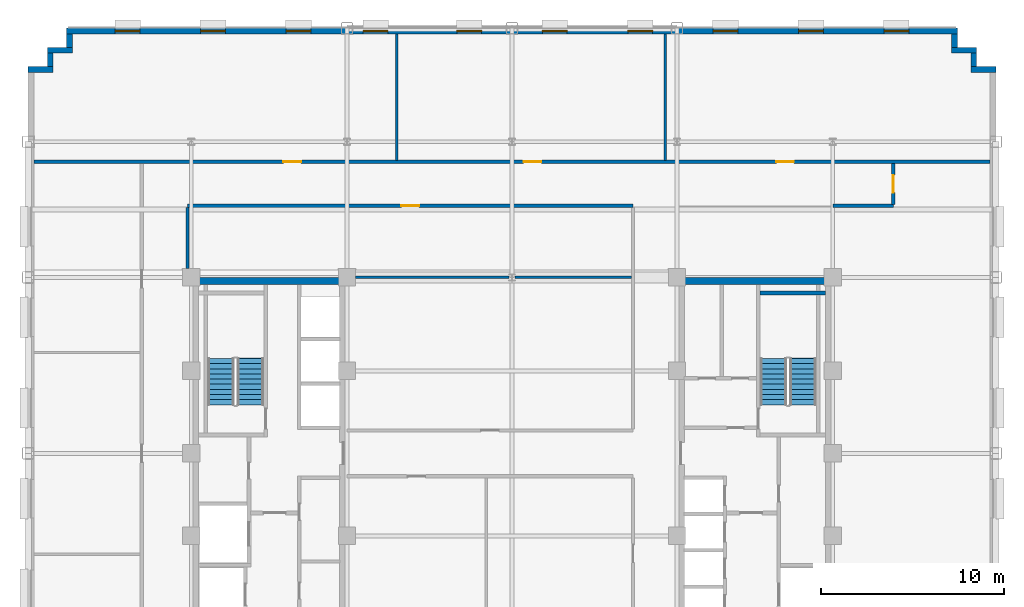
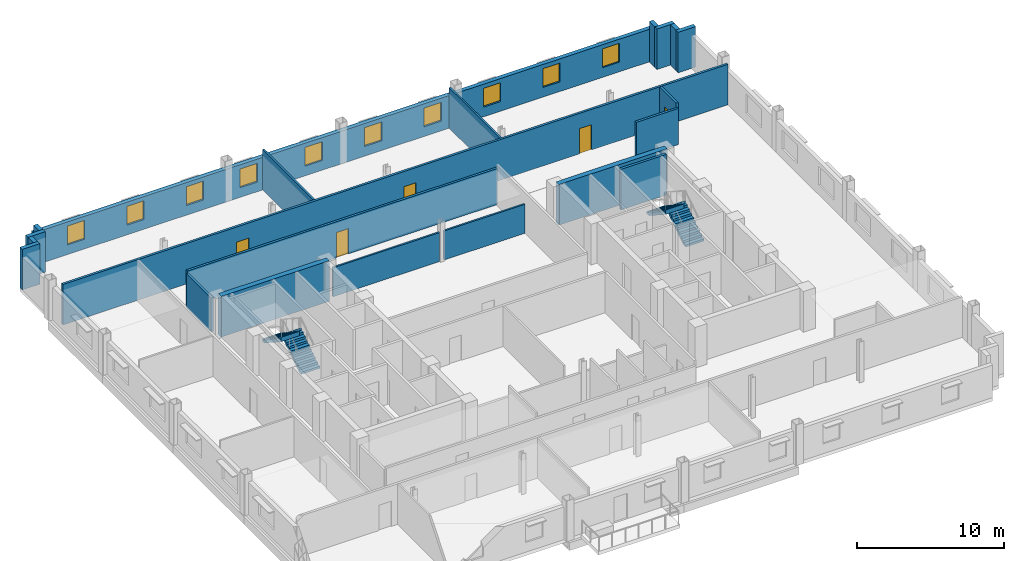
# One storey, part 9 of 13: 21 walls, 10 windows, 5 doors, 4 stair flights, 15 openings, 2 elements without a shape of their own.
"""IFC4 building model written with IfcOpenShell, lengths in metres."""

from ifc_helpers import new_model, si_unit, direction, frame, frame_2d, origin, place, context, subcontext, project, spatial, polyline, rectangle, outline, extrude, source, transform, mapped, material, layer, layer_set, type_object, type_shapes, element, fill, aggregate, save


model = new_model("IFC4")

# Units and contexts
model_context = context("Model", 3, precision=1e-05, world=origin(), true_north=direction((0.0, 1.0)))
body_context = subcontext(model_context, "Body", "Model", "MODEL_VIEW")
ifc_project = project(units=[si_unit("LENGTHUNIT", "METRE"), si_unit("AREAUNIT", "SQUARE_METRE"), si_unit("VOLUMEUNIT", "CUBIC_METRE"), si_unit("PLANEANGLEUNIT", "RADIAN"), si_unit("MASSUNIT", "GRAM", prefix="KILO")], contexts=[model_context])

# Site, building, storey
site_placement = place(None, origin())
site = spatial("IfcSite", under=ifc_project, at=site_placement, CompositionType="ELEMENT")
building_placement = place(site_placement, origin())
building = spatial("IfcBuilding", under=site, at=building_placement, Name="Nuvemarco Arch Tower", CompositionType="ELEMENT")
storey_placement = place(building_placement, frame((0.0, 0.0, 149.39990234375)))
storey = spatial("IfcBuildingStorey", under=building, at=storey_placement, Name="L39", CompositionType="ELEMENT", Elevation=149.39990234375)

# Walls
ifc_material_1 = material(Name="Precast concrete C45/55", Category="concrete")
ifc_layer_1 = layer(ifc_material_1, 0.320068359375, Name="EW-MID-320")
ifc_layer_set_1 = layer_set([ifc_layer_1], Name="Precast concrete C45/55")
wall_type_1 = type_object("IfcWallType", Name="EW-MID-320", PredefinedType="STANDARD", material=ifc_layer_set_1)
wall_1_placement = place(storey_placement, frame((25.030029296875, 20.93994140625, 0.0), z_axis=(0.0, 0.0, 1.0), x_axis=(1.0, 0.0, 0.0)))
element("IfcWall", 1, at=wall_1_placement, inside=storey, type_object=wall_type_1, Name="L39 exterior precast facade wall 7", PredefinedType="STANDARD", context=body_context, shape_type="SweptSolid", body=[
    extrude(rectangle(XDim=1.369873046875, YDim=0.320068359375, at=frame_2d((0.68505859375, 0.0))), origin(), (0.0, 0.0, 1.0), 3.360107421875),
])
wall_2_placement = place(storey_placement, frame((25.18994140625, 21.095947265625, 0.0), z_axis=(0.0, 0.0, 1.0), x_axis=(0.0, 1.0, 0.0)))
element("IfcWall", 2, at=wall_2_placement, inside=storey, type_object=wall_type_1, Name="L39 exterior precast facade wall 8", PredefinedType="STANDARD", context=body_context, shape_type="SweptSolid", body=[
    extrude(rectangle(XDim=0.738037109375, YDim=0.320068359375, at=frame_2d((0.369140625, 0.0))), origin(), (0.0, 0.0, 1.0), 3.360107421875),
])
wall_3_placement = place(storey_placement, frame((23.97998046875, 21.989990234375, 0.0), z_axis=(0.0, 0.0, 1.0), x_axis=(1.0, 0.0, 0.0)))
element("IfcWall", 3, at=wall_3_placement, inside=storey, type_object=wall_type_1, Name="L39 exterior precast facade wall 9", PredefinedType="STANDARD", context=body_context, shape_type="SweptSolid", body=[
    extrude(rectangle(XDim=1.3701171875, YDim=0.320068359375, at=frame_2d((0.68505859375, 0.0))), origin(), (0.0, 0.0, 1.0), 3.360107421875),
])
wall_4_placement = place(storey_placement, frame((24.139892578125, 22.14599609375, 0.0), z_axis=(0.0, 0.0, 1.0), x_axis=(0.0, 1.0, 0.0)))
element("IfcWall", 4, at=wall_4_placement, inside=storey, type_object=wall_type_1, Name="L39 exterior precast facade wall 10", PredefinedType="STANDARD", context=body_context, shape_type="SweptSolid", body=[
    extrude(rectangle(XDim=0.738037109375, YDim=0.320068359375, at=frame_2d((0.369140625, 0.0))), origin(), (0.0, 0.0, 1.0), 3.360107421875),
])

# Wall, openings, windows
wall_5_placement = place(storey_placement, frame((-24.300048828125, 23.0400390625, 0.0), z_axis=(0.0, 0.0, 1.0), x_axis=(1.0, 0.0, 0.0)))
wall_5 = element("IfcWall", 5, at=wall_5_placement, inside=storey, type_object=wall_type_1, Name="L39 exterior precast facade wall 11", PredefinedType="STANDARD", context=body_context, shape_type="SweptSolid", body=[
    extrude(rectangle(XDim=48.60009765625, YDim=0.320068359375, at=frame_2d((24.300048828125, 0.0))), origin(), (0.0, 0.0, 1.0), 2.705078125),
])
opening_1_placement = place(wall_5_placement, frame((2.655029296875, 0.0, 0.800048828125)))
opening_1 = element("IfcOpeningElement", 6, at=opening_1_placement, cuts=wall_5, Name="Opening WN-6", PredefinedType="OPENING", context=body_context, shape_type="SweptSolid", body=[
    extrude(rectangle(XDim=1.35009765625, YDim=1.56005859375, at=frame_2d((0.675048828125, 0.780029296875))), frame((0.0, 0.169921875, 0.0), z_axis=(0.0, -1.0, 0.0), x_axis=(1.0, 0.0, 0.0)), (0.0, 0.0, 1.0), 0.340087890625),
])
opening_2_placement = place(wall_5_placement, frame((7.31494140625, 0.0, 0.800048828125)))
opening_2 = element("IfcOpeningElement", 7, at=opening_2_placement, cuts=wall_5, Name="Opening WN-6", PredefinedType="OPENING", context=body_context, shape_type="SweptSolid", body=[
    extrude(rectangle(XDim=1.35009765625, YDim=1.56005859375, at=frame_2d((0.675048828125, 0.780029296875))), frame((0.0, 0.169921875, 0.0), z_axis=(0.0, -1.0, 0.0), x_axis=(1.0, 0.0, 0.0)), (0.0, 0.0, 1.0), 0.340087890625),
])
opening_3_placement = place(wall_5_placement, frame((11.97509765625, 0.0, 0.800048828125)))
opening_3 = element("IfcOpeningElement", 8, at=opening_3_placement, cuts=wall_5, Name="Opening WN-6", PredefinedType="OPENING", context=body_context, shape_type="SweptSolid", body=[
    extrude(rectangle(XDim=1.35009765625, YDim=1.56005859375, at=frame_2d((0.675048828125, 0.780029296875))), frame((0.0, 0.169921875, 0.0), z_axis=(0.0, -1.0, 0.0), x_axis=(1.0, 0.0, 0.0)), (0.0, 0.0, 1.0), 0.340087890625),
])
opening_4_placement = place(wall_5_placement, frame((16.18505859375, 0.0, 0.800048828125)))
opening_4 = element("IfcOpeningElement", 9, at=opening_4_placement, cuts=wall_5, Name="Opening WN-6", PredefinedType="OPENING", context=body_context, shape_type="SweptSolid", body=[
    extrude(rectangle(XDim=1.35009765625, YDim=1.56005859375, at=frame_2d((0.675048828125, 0.780029296875))), frame((0.0, 0.169921875, 0.0), z_axis=(0.0, -1.0, 0.0), x_axis=(1.0, 0.0, 0.0)), (0.0, 0.0, 1.0), 0.340087890625),
])
opening_5_placement = place(wall_5_placement, frame((21.294921875, 0.0, 0.800048828125)))
opening_5 = element("IfcOpeningElement", 10, at=opening_5_placement, cuts=wall_5, Name="Opening WN-6", PredefinedType="OPENING", context=body_context, shape_type="SweptSolid", body=[
    extrude(rectangle(XDim=1.35009765625, YDim=1.56005859375, at=frame_2d((0.675048828125, 0.780029296875))), frame((0.0, 0.169921875, 0.0), z_axis=(0.0, -1.0, 0.0), x_axis=(1.0, 0.0, 0.0)), (0.0, 0.0, 1.0), 0.340087890625),
])
opening_6_placement = place(wall_5_placement, frame((25.955078125, 0.0, 0.800048828125)))
opening_6 = element("IfcOpeningElement", 11, at=opening_6_placement, cuts=wall_5, Name="Opening WN-6", PredefinedType="OPENING", context=body_context, shape_type="SweptSolid", body=[
    extrude(rectangle(XDim=1.35009765625, YDim=1.56005859375, at=frame_2d((0.675048828125, 0.780029296875))), frame((0.0, 0.169921875, 0.0), z_axis=(0.0, -1.0, 0.0), x_axis=(1.0, 0.0, 0.0)), (0.0, 0.0, 1.0), 0.340087890625),
])
opening_7_placement = place(wall_5_placement, frame((30.614990234375, 0.0, 0.800048828125)))
opening_7 = element("IfcOpeningElement", 12, at=opening_7_placement, cuts=wall_5, Name="Opening WN-6", PredefinedType="OPENING", context=body_context, shape_type="SweptSolid", body=[
    extrude(rectangle(XDim=1.35009765625, YDim=1.56005859375, at=frame_2d((0.675048828125, 0.780029296875))), frame((0.0, 0.169921875, 0.0), z_axis=(0.0, -1.0, 0.0), x_axis=(1.0, 0.0, 0.0)), (0.0, 0.0, 1.0), 0.340087890625),
])
opening_8_placement = place(wall_5_placement, frame((35.27490234375, 0.0, 0.800048828125)))
opening_8 = element("IfcOpeningElement", 13, at=opening_8_placement, cuts=wall_5, Name="Opening WN-6", PredefinedType="OPENING", context=body_context, shape_type="SweptSolid", body=[
    extrude(rectangle(XDim=1.35009765625, YDim=1.56005859375, at=frame_2d((0.675048828125, 0.780029296875))), frame((0.0, 0.169921875, 0.0), z_axis=(0.0, -1.0, 0.0), x_axis=(1.0, 0.0, 0.0)), (0.0, 0.0, 1.0), 0.340087890625),
])
opening_9_placement = place(wall_5_placement, frame((39.93505859375, 0.0, 0.800048828125)))
opening_9 = element("IfcOpeningElement", 14, at=opening_9_placement, cuts=wall_5, Name="Opening WN-6", PredefinedType="OPENING", context=body_context, shape_type="SweptSolid", body=[
    extrude(rectangle(XDim=1.35009765625, YDim=1.56005859375, at=frame_2d((0.675048828125, 0.780029296875))), frame((0.0, 0.169921875, 0.0), z_axis=(0.0, -1.0, 0.0), x_axis=(1.0, 0.0, 0.0)), (0.0, 0.0, 1.0), 0.340087890625),
])
opening_10_placement = place(wall_5_placement, frame((44.594970703125, 0.0, 0.800048828125)))
opening_10 = element("IfcOpeningElement", 15, at=opening_10_placement, cuts=wall_5, Name="Opening WN-6", PredefinedType="OPENING", context=body_context, shape_type="SweptSolid", body=[
    extrude(rectangle(XDim=1.35009765625, YDim=1.56005859375, at=frame_2d((0.675048828125, 0.780029296875))), frame((0.0, 0.169921875, 0.0), z_axis=(0.0, -1.0, 0.0), x_axis=(1.0, 0.0, 0.0)), (0.0, 0.0, 1.0), 0.340087890625),
])
ifc_material_2 = material(Name="Insulated solar-control glass", Category="glass")
window_type = type_object("IfcWindowType", Name="WN-MID-1350x1560", PartitioningType="SINGLE_PANEL", PredefinedType="WINDOW", material=ifc_material_2)
shared_shape_1 = source(origin(), body_context, "Body", "SweptSolid", [
    extrude(rectangle(XDim=1.35009765625, YDim=1.56005859375, at=frame_2d((0.675048828125, 0.780029296875))), frame((0.0, 0.030029296875, 0.0), z_axis=(0.0, -1.0, 0.0), x_axis=(1.0, 0.0, 0.0)), (0.0, 0.0, 1.0), 0.06005859375),
])
type_shapes(window_type, [shared_shape_1])
window_1_placement = place(opening_1_placement, origin())
window_1 = element("IfcWindow", 16, at=window_1_placement, inside=storey, type_object=window_type, Name="L39 punched facade window 1", OverallHeight=1.56005859375, OverallWidth=1.35009765625, PartitioningType="SINGLE_PANEL", PredefinedType="WINDOW", context=body_context, shape_type="MappedRepresentation", body=[
    mapped(shared_shape_1, transform((0.0, 0.0, 0.0), scale=1.0)),
])
fill(opening_1, window_1)
window_2_placement = place(opening_2_placement, origin())
window_2 = element("IfcWindow", 17, at=window_2_placement, inside=storey, type_object=window_type, Name="L39 punched facade window 2", OverallHeight=1.56005859375, OverallWidth=1.35009765625, PartitioningType="SINGLE_PANEL", PredefinedType="WINDOW", context=body_context, shape_type="MappedRepresentation", body=[
    mapped(shared_shape_1, transform((0.0, 0.0, 0.0), scale=1.0)),
])
fill(opening_2, window_2)
window_3_placement = place(opening_3_placement, origin())
window_3 = element("IfcWindow", 18, at=window_3_placement, inside=storey, type_object=window_type, Name="L39 punched facade window 3", OverallHeight=1.56005859375, OverallWidth=1.35009765625, PartitioningType="SINGLE_PANEL", PredefinedType="WINDOW", context=body_context, shape_type="MappedRepresentation", body=[
    mapped(shared_shape_1, transform((0.0, 0.0, 0.0), scale=1.0)),
])
fill(opening_3, window_3)
window_4_placement = place(opening_4_placement, origin())
window_4 = element("IfcWindow", 19, at=window_4_placement, inside=storey, type_object=window_type, Name="L39 punched facade window 4", OverallHeight=1.56005859375, OverallWidth=1.35009765625, PartitioningType="SINGLE_PANEL", PredefinedType="WINDOW", context=body_context, shape_type="MappedRepresentation", body=[
    mapped(shared_shape_1, transform((0.0, 0.0, 0.0), scale=1.0)),
])
fill(opening_4, window_4)
window_5_placement = place(opening_5_placement, origin())
window_5 = element("IfcWindow", 20, at=window_5_placement, inside=storey, type_object=window_type, Name="L39 punched facade window 5", OverallHeight=1.56005859375, OverallWidth=1.35009765625, PartitioningType="SINGLE_PANEL", PredefinedType="WINDOW", context=body_context, shape_type="MappedRepresentation", body=[
    mapped(shared_shape_1, transform((0.0, 0.0, 0.0), scale=1.0)),
])
fill(opening_5, window_5)
window_6_placement = place(opening_6_placement, origin())
window_6 = element("IfcWindow", 21, at=window_6_placement, inside=storey, type_object=window_type, Name="L39 punched facade window 6", OverallHeight=1.56005859375, OverallWidth=1.35009765625, PartitioningType="SINGLE_PANEL", PredefinedType="WINDOW", context=body_context, shape_type="MappedRepresentation", body=[
    mapped(shared_shape_1, transform((0.0, 0.0, 0.0), scale=1.0)),
])
fill(opening_6, window_6)
window_7_placement = place(opening_7_placement, origin())
window_7 = element("IfcWindow", 22, at=window_7_placement, inside=storey, type_object=window_type, Name="L39 punched facade window 7", OverallHeight=1.56005859375, OverallWidth=1.35009765625, PartitioningType="SINGLE_PANEL", PredefinedType="WINDOW", context=body_context, shape_type="MappedRepresentation", body=[
    mapped(shared_shape_1, transform((0.0, 0.0, 0.0), scale=1.0)),
])
fill(opening_7, window_7)
window_8_placement = place(opening_8_placement, origin())
window_8 = element("IfcWindow", 23, at=window_8_placement, inside=storey, type_object=window_type, Name="L39 punched facade window 8", OverallHeight=1.56005859375, OverallWidth=1.35009765625, PartitioningType="SINGLE_PANEL", PredefinedType="WINDOW", context=body_context, shape_type="MappedRepresentation", body=[
    mapped(shared_shape_1, transform((0.0, 0.0, 0.0), scale=1.0)),
])
fill(opening_8, window_8)
window_9_placement = place(opening_9_placement, origin())
window_9 = element("IfcWindow", 24, at=window_9_placement, inside=storey, type_object=window_type, Name="L39 punched facade window 9", OverallHeight=1.56005859375, OverallWidth=1.35009765625, PartitioningType="SINGLE_PANEL", PredefinedType="WINDOW", context=body_context, shape_type="MappedRepresentation", body=[
    mapped(shared_shape_1, transform((0.0, 0.0, 0.0), scale=1.0)),
])
fill(opening_9, window_9)
window_10_placement = place(opening_10_placement, origin())
window_10 = element("IfcWindow", 25, at=window_10_placement, inside=storey, type_object=window_type, Name="L39 punched facade window 10", OverallHeight=1.56005859375, OverallWidth=1.35009765625, PartitioningType="SINGLE_PANEL", PredefinedType="WINDOW", context=body_context, shape_type="MappedRepresentation", body=[
    mapped(shared_shape_1, transform((0.0, 0.0, 0.0), scale=1.0)),
])
fill(opening_10, window_10)

# Walls
wall_6_placement = place(storey_placement, frame((-24.139892578125, 22.14599609375, 0.0), z_axis=(0.0, 0.0, 1.0), x_axis=(0.0, 1.0, 0.0)))
element("IfcWall", 26, at=wall_6_placement, inside=storey, type_object=wall_type_1, Name="L39 exterior precast facade wall 12", PredefinedType="STANDARD", context=body_context, shape_type="SweptSolid", body=[
    extrude(rectangle(XDim=0.738037109375, YDim=0.320068359375, at=frame_2d((0.369140625, 0.0))), origin(), (0.0, 0.0, 1.0), 3.360107421875),
])
wall_7_placement = place(storey_placement, frame((-25.35009765625, 21.989990234375, 0.0), z_axis=(0.0, 0.0, 1.0), x_axis=(1.0, 0.0, 0.0)))
element("IfcWall", 27, at=wall_7_placement, inside=storey, type_object=wall_type_1, Name="L39 exterior precast facade wall 13", PredefinedType="STANDARD", context=body_context, shape_type="SweptSolid", body=[
    extrude(rectangle(XDim=1.3701171875, YDim=0.320068359375, at=frame_2d((0.68505859375, 0.0))), origin(), (0.0, 0.0, 1.0), 3.360107421875),
])
wall_8_placement = place(storey_placement, frame((-25.18994140625, 21.095947265625, 0.0), z_axis=(0.0, 0.0, 1.0), x_axis=(0.0, 1.0, 0.0)))
element("IfcWall", 28, at=wall_8_placement, inside=storey, type_object=wall_type_1, Name="L39 exterior precast facade wall 14", PredefinedType="STANDARD", context=body_context, shape_type="SweptSolid", body=[
    extrude(rectangle(XDim=0.738037109375, YDim=0.320068359375, at=frame_2d((0.369140625, 0.0))), origin(), (0.0, 0.0, 1.0), 3.360107421875),
])
wall_9_placement = place(storey_placement, frame((-26.39990234375, 20.93994140625, 0.0), z_axis=(0.0, 0.0, 1.0), x_axis=(1.0, 0.0, 0.0)))
element("IfcWall", 29, at=wall_9_placement, inside=storey, type_object=wall_type_1, Name="L39 exterior precast facade wall 15", PredefinedType="STANDARD", context=body_context, shape_type="SweptSolid", body=[
    extrude(rectangle(XDim=1.369873046875, YDim=0.320068359375, at=frame_2d((0.68505859375, 0.0))), origin(), (0.0, 0.0, 1.0), 3.360107421875),
])
ifc_material_3 = material(Name="Concrete C60/75", Category="concrete")
ifc_layer_2 = layer(ifc_material_3, 0.39990234375, Name="WL-CORE-400")
ifc_layer_set_2 = layer_set([ifc_layer_2], Name="Concrete C60/75")
wall_type_2 = type_object("IfcWallType", Name="WL-CORE-400", PredefinedType="SHEAR", material=ifc_layer_set_2)
for number, where, z_axis, x_axis, name in (
    (30, (-17.5, 9.39990234375, 0.0), (0.0, 0.0, 1.0), (1.0, 0.0, 0.0), "L39 W-core shear wall N"),
    (31, (9.0, 9.39990234375, 0.0), (0.0, 0.0, 1.0), (1.0, 0.0, 0.0), "L39 E-core shear wall N"),
):
    element("IfcWall", number, at=place(storey_placement, frame(where, z_axis=z_axis, x_axis=x_axis)), inside=storey, type_object=wall_type_2, Name=name, PredefinedType="SHEAR", context=body_context, shape_type="SweptSolid", body=[
        extrude(rectangle(XDim=8.5, YDim=0.39990234375, at=frame_2d((4.25, 0.0))), origin(), (0.0, 0.0, 1.0), 3.3701171875),
    ])

# Wall, opening, door
ifc_material_4 = material(Name="Fire-rated gypsum drywall partition")
ifc_layer_3 = layer(ifc_material_4, 0.179931640625, Name="WL-CORR-180")
ifc_layer_set_3 = layer_set([ifc_layer_3], Name="Fire-rated gypsum drywall partition")
wall_type_3 = type_object("IfcWallType", Name="WL-CORR-180", PredefinedType="PARTITIONING", material=ifc_layer_set_3)
wall_10_placement = place(storey_placement, frame((-17.699951171875, 13.5, 0.0), z_axis=(0.0, 0.0, 1.0), x_axis=(1.0, 0.0, 0.0)))
wall_10 = element("IfcWall", 32, at=wall_10_placement, inside=storey, type_object=wall_type_3, Name="L39 interior wall IW-L39-012", PredefinedType="PARTITIONING", context=body_context, shape_type="SweptSolid", body=[
    extrude(rectangle(XDim=24.300048828125, YDim=0.179931640625, at=frame_2d((12.14990234375, 0.0))), origin(), (0.0, 0.0, 1.0), 2.998046875),
])
opening_11_placement = place(wall_10_placement, frame((11.669921875, 0.0, 0.0)))
opening_11 = element("IfcOpeningElement", 33, at=opening_11_placement, cuts=wall_10, Name="Opening FD-5", PredefinedType="OPENING", context=body_context, shape_type="SweptSolid", body=[
    extrude(rectangle(XDim=0.9599609375, YDim=2.10009765625, at=frame_2d((0.47998046875, 1.050048828125))), frame((0.0, 0.099853515625, 0.0), z_axis=(0.0, -1.0, 0.0), x_axis=(1.0, 0.0, 0.0)), (0.0, 0.0, 1.0), 0.199951171875),
])
ifc_material_5 = material(Name="Timber fire door", Category="wood")
door_type = type_object("IfcDoorType", Name="DR-CORR-FD", OperationType="NOTDEFINED", PredefinedType="DOOR", material=ifc_material_5)
shared_shape_2 = source(origin(), body_context, "Body", "SweptSolid", [
    extrude(rectangle(XDim=0.9599609375, YDim=2.10009765625, at=frame_2d((0.47998046875, 1.050048828125))), frame((0.0, 0.02490234375, 0.0), z_axis=(0.0, -1.0, 0.0), x_axis=(1.0, 0.0, 0.0)), (0.0, 0.0, 1.0), 0.050048828125),
])
type_shapes(door_type, [shared_shape_2])
door_1_placement = place(opening_11_placement, origin())
door_1 = element("IfcDoor", 34, at=door_1_placement, inside=storey, type_object=door_type, Name="L39 door DR-L39-IN_N1", OperationType="SINGLE_SWING_RIGHT", OverallHeight=2.10009765625, OverallWidth=0.9599609375, PredefinedType="DOOR", context=body_context, shape_type="MappedRepresentation", body=[
    mapped(shared_shape_2, transform((0.0, 0.0, 0.0), scale=1.0)),
])
fill(opening_11, door_1)

# Wall
wall_11_placement = place(storey_placement, frame((17.5, 13.5, 0.0), z_axis=(0.0, 0.0, 1.0), x_axis=(1.0, 0.0, 0.0)))
element("IfcWall", 35, at=wall_11_placement, inside=storey, type_object=wall_type_3, Name="L39 interior wall IW-L39-013", PredefinedType="PARTITIONING", context=body_context, shape_type="SweptSolid", body=[
    extrude(rectangle(XDim=3.300048828125, YDim=0.179931640625, at=frame_2d((1.64990234375, 0.0))), origin(), (0.0, 0.0, 1.0), 2.998046875),
])

# Wall, openings, doors
wall_12_placement = place(storey_placement, frame((-26.080078125, 15.89990234375, 0.0), z_axis=(0.0, 0.0, 1.0), x_axis=(1.0, 0.0, 0.0)))
wall_12 = element("IfcWall", 36, at=wall_12_placement, inside=storey, type_object=wall_type_3, Name="L39 interior wall IW-L39-014", PredefinedType="PARTITIONING", context=body_context, shape_type="SweptSolid", body=[
    extrude(rectangle(XDim=52.16015625, YDim=0.179931640625, at=frame_2d((26.080078125, 0.0))), origin(), (0.0, 0.0, 1.0), 3.360107421875),
])
opening_12_placement = place(wall_12_placement, frame((26.719970703125, 0.0, 0.0)))
opening_12 = element("IfcOpeningElement", 37, at=opening_12_placement, cuts=wall_12, Name="Opening FD-5", PredefinedType="OPENING", context=body_context, shape_type="SweptSolid", body=[
    extrude(rectangle(XDim=0.9599609375, YDim=2.10009765625, at=frame_2d((0.47998046875, 1.050048828125))), frame((0.0, 0.099853515625, 0.0), z_axis=(0.0, -1.0, 0.0), x_axis=(1.0, 0.0, 0.0)), (0.0, 0.0, 1.0), 0.199951171875),
])
opening_13_placement = place(wall_12_placement, frame((40.5, 0.0, 0.0)))
opening_13 = element("IfcOpeningElement", 38, at=opening_13_placement, cuts=wall_12, Name="Opening FD-5", PredefinedType="OPENING", context=body_context, shape_type="SweptSolid", body=[
    extrude(rectangle(XDim=0.9599609375, YDim=2.10009765625, at=frame_2d((0.47998046875, 1.050048828125))), frame((0.0, 0.099853515625, 0.0), z_axis=(0.0, -1.0, 0.0), x_axis=(1.0, 0.0, 0.0)), (0.0, 0.0, 1.0), 0.199951171875),
])
opening_14_placement = place(wall_12_placement, frame((13.610107421875, 0.0, 0.0)))
opening_14 = element("IfcOpeningElement", 39, at=opening_14_placement, cuts=wall_12, Name="Opening FD-5", PredefinedType="OPENING", context=body_context, shape_type="SweptSolid", body=[
    extrude(rectangle(XDim=0.9599609375, YDim=2.10009765625, at=frame_2d((0.47998046875, 1.050048828125))), frame((0.0, 0.099853515625, 0.0), z_axis=(0.0, -1.0, 0.0), x_axis=(1.0, 0.0, 0.0)), (0.0, 0.0, 1.0), 0.199951171875),
])
door_2_placement = place(opening_12_placement, origin())
door_2 = element("IfcDoor", 40, at=door_2_placement, inside=storey, type_object=door_type, Name="L39 door DR-L39-N_2", OperationType="SINGLE_SWING_LEFT", OverallHeight=2.10009765625, OverallWidth=0.9599609375, PredefinedType="DOOR", context=body_context, shape_type="MappedRepresentation", body=[
    mapped(shared_shape_2, transform((0.0, 0.0, 0.0), scale=1.0)),
])
fill(opening_12, door_2)
door_3_placement = place(opening_13_placement, origin())
door_3 = element("IfcDoor", 41, at=door_3_placement, inside=storey, type_object=door_type, Name="L39 door DR-L39-N_3", OperationType="SINGLE_SWING_LEFT", OverallHeight=2.10009765625, OverallWidth=0.9599609375, PredefinedType="DOOR", context=body_context, shape_type="MappedRepresentation", body=[
    mapped(shared_shape_2, transform((0.0, 0.0, 0.0), scale=1.0)),
])
fill(opening_13, door_3)
door_4_placement = place(opening_14_placement, origin())
door_4 = element("IfcDoor", 42, at=door_4_placement, inside=storey, type_object=door_type, Name="L39 door DR-L39-N_1", OperationType="SINGLE_SWING_LEFT", OverallHeight=2.10009765625, OverallWidth=0.9599609375, PredefinedType="DOOR", context=body_context, shape_type="MappedRepresentation", body=[
    mapped(shared_shape_2, transform((0.0, 0.0, 0.0), scale=1.0)),
])
fill(opening_14, door_4)

# Wall
wall_13_placement = place(storey_placement, frame((-17.699951171875, 10.071044921875, 0.0), z_axis=(0.0, 0.0, 1.0), x_axis=(0.0, 1.0, 0.0)))
element("IfcWall", 43, at=wall_13_placement, inside=storey, type_object=wall_type_3, Name="L39 interior wall IW-L39-018", PredefinedType="PARTITIONING", context=body_context, shape_type="SweptSolid", body=[
    extrude(rectangle(XDim=3.343017578125, YDim=0.179931640625, at=frame_2d((1.67138671875, 0.0))), origin(), (0.0, 0.0, 1.0), 2.816162109375),
])

# Wall, opening, door
wall_14_placement = place(storey_placement, frame((20.800048828125, 13.5859375, 0.0), z_axis=(0.0, 0.0, 1.0), x_axis=(0.0, 1.0, 0.0)))
wall_14 = element("IfcWall", 44, at=wall_14_placement, inside=storey, type_object=wall_type_3, Name="L39 interior wall IW-L39-031", PredefinedType="PARTITIONING", context=body_context, shape_type="SweptSolid", body=[
    extrude(rectangle(XDim=2.22802734375, YDim=0.179931640625, at=frame_2d((1.114013671875, 0.0))), origin(), (0.0, 0.0, 1.0), 3.360107421875),
])
opening_15_placement = place(wall_14_placement, frame((0.634033203125, 0.0, 0.0)))
opening_15 = element("IfcOpeningElement", 45, at=opening_15_placement, cuts=wall_14, Name="Opening FD-5", PredefinedType="OPENING", context=body_context, shape_type="SweptSolid", body=[
    extrude(rectangle(XDim=0.9599609375, YDim=2.10009765625, at=frame_2d((0.47998046875, 1.050048828125))), frame((0.0, 0.099853515625, 0.0), z_axis=(0.0, -1.0, 0.0), x_axis=(1.0, 0.0, 0.0)), (0.0, 0.0, 1.0), 0.199951171875),
])
door_5_placement = place(opening_15_placement, origin())
door_5 = element("IfcDoor", 46, at=door_5_placement, inside=storey, type_object=door_type, Name="L39 door DR-L39-E_1", OperationType="SINGLE_SWING_RIGHT", OverallHeight=2.10009765625, OverallWidth=0.9599609375, PredefinedType="DOOR", context=body_context, shape_type="MappedRepresentation", body=[
    mapped(shared_shape_2, transform((0.0, 0.0, 0.0), scale=1.0)),
])
fill(opening_15, door_5)

# Walls
ifc_material_6 = material(Name="Gypsum plasterboard partition")
ifc_layer_4 = layer(ifc_material_6, 0.139892578125, Name="WL-ROOM-140")
ifc_layer_set_4 = layer_set([ifc_layer_4], Name="Gypsum plasterboard partition")
wall_type_4 = type_object("IfcWallType", Name="WL-ROOM-140", PredefinedType="PARTITIONING", material=ifc_layer_set_4)
wall_15_placement = place(storey_placement, frame((-8.529052734375, 9.60009765625, 0.0), z_axis=(0.0, 0.0, 1.0), x_axis=(1.0, 0.0, 0.0)))
element("IfcWall", 47, at=wall_15_placement, inside=storey, type_object=wall_type_4, Name="L39 interior wall IW-L39-010", PredefinedType="PARTITIONING", context=body_context, shape_type="SweptSolid", body=[
    extrude(rectangle(XDim=8.35302734375, YDim=0.139892578125, at=frame_2d((4.176513671875, 0.0))), origin(), (0.0, 0.0, 1.0), 2.405029296875),
])
wall_16_placement = place(storey_placement, frame((0.176025390625, 9.60009765625, 0.0), z_axis=(0.0, 0.0, 1.0), x_axis=(1.0, 0.0, 0.0)))
element("IfcWall", 48, at=wall_16_placement, inside=storey, type_object=wall_type_4, Name="L39 interior wall IW-L39-011", PredefinedType="PARTITIONING", context=body_context, shape_type="SweptSolid", body=[
    extrude(rectangle(XDim=6.337890625, YDim=0.139892578125, at=frame_2d((3.1689453125, 0.0))), origin(), (0.0, 0.0, 1.0), 2.405029296875),
])
for number, where, z_axis, x_axis, name in (
    (49, (-6.280029296875, 15.986083984375, 0.0), (0.0, 0.0, 1.0), (0.0, 1.0, 0.0), "L39 interior wall IW-L39-020"),
    (50, (8.35009765625, 15.986083984375, 0.0), (0.0, 0.0, 1.0), (0.0, 1.0, 0.0), "L39 interior wall IW-L39-029"),
):
    element("IfcWall", number, at=place(storey_placement, frame(where, z_axis=z_axis, x_axis=x_axis)), inside=storey, type_object=wall_type_4, Name=name, PredefinedType="PARTITIONING", context=body_context, shape_type="SweptSolid", body=[
        extrude(rectangle(XDim=6.893798828125, YDim=0.139892578125, at=frame_2d((3.44677734375, 0.0))), origin(), (0.0, 0.0, 1.0), 3.360107421875),
    ])
ifc_material_7 = material(Name="Concrete C50/60", Category="concrete")
ifc_layer_5 = layer(ifc_material_7, 0.199951171875, Name="WL-SHAFT-220")
ifc_layer_set_5 = layer_set([ifc_layer_5], Name="Concrete C50/60")
wall_type_5 = type_object("IfcWallType", Name="WL-SHAFT-220", PredefinedType="SHEAR", material=ifc_layer_set_5)
wall_17_placement = place(storey_placement, frame((13.534912109375, 8.75, 0.0), z_axis=(0.0, 0.0, 1.0), x_axis=(1.0, 0.0, 0.0)))
element("IfcWall", 51, at=wall_17_placement, inside=storey, type_object=wall_type_5, Name="L39 structural shaft wall SW-L39-E-ST2N", PredefinedType="SHEAR", context=body_context, shape_type="SweptSolid", body=[
    extrude(rectangle(XDim=3.570068359375, YDim=0.199951171875, at=frame_2d((1.78515625, 0.0))), origin(), (0.0, 0.0, 1.0), 3.3701171875),
])

# Stair, stair flights
stair_type = type_object("IfcStairType", Name="ST-CORE-20R", PredefinedType="HALF_TURN_STAIR", material=ifc_material_1)
stair_1_placement = place(storey_placement, origin())
stair_1 = element("IfcStair", 52, at=stair_1_placement, inside=storey, type_object=stair_type, Name="L39 Protected Exit Stair ST-1", PredefinedType="HALF_TURN_STAIR")
stair_flight_type = type_object("IfcStairFlightType", Name="SF-CORE-20R", PredefinedType="STRAIGHT", material=ifc_material_1)
stair_flight_1_placement = place(storey_placement, frame((-14.264892578125, 2.64990234375, 0.0), z_axis=(0.0, 0.0, 1.0), x_axis=(0.0, 1.0, 0.0)))
stair_flight_1 = element("IfcStairFlight", 53, at=stair_flight_1_placement, type_object=stair_flight_type, Name="ST-20R flight 1", NumberOfRisers=10, NumberOfTreads=9, PredefinedType="STRAIGHT", RiserHeight=0.1825, TreadLength=0.28, context=body_context, shape_type="SweptSolid", body=[
    extrude(outline(polyline([(0.0, 0.0), (0.0, 0.1826171875), (0.280029296875, 0.1826171875), (0.280029296875, 0.364990234375), (0.56005859375, 0.364990234375), (0.56005859375, 0.547607421875), (0.840087890625, 0.547607421875), (0.840087890625, 0.72998046875), (1.1201171875, 0.72998046875), (1.1201171875, 0.91259765625), (1.39990234375, 0.91259765625), (1.39990234375, 1.094970703125), (1.679931640625, 1.094970703125), (1.679931640625, 1.277587890625), (1.9599609375, 1.277587890625), (1.9599609375, 1.4599609375), (2.239990234375, 1.4599609375), (2.239990234375, 1.642578125), (2.52001953125, 1.642578125), (2.52001953125, 1.824951171875), (2.5400390625, 1.824951171875), (2.5400390625, 1.45166015625), (0.312744140625, 0.0), (0.0, 0.0)])), frame((0.0, 0.72509765625, 0.0), z_axis=(0.0, -1.0, 0.0), x_axis=(1.0, 0.0, 0.0)), (0.0, 0.0, 1.0), 1.449951171875),
])
stair_flight_2_placement = place(storey_placement, frame((-15.875, 5.169921875, 1.8251953125), z_axis=(0.0, 0.0, 1.0), x_axis=(0.0, -1.0, 0.0)))
stair_flight_2 = element("IfcStairFlight", 54, at=stair_flight_2_placement, type_object=stair_flight_type, Name="ST-20R flight 2", NumberOfRisers=10, NumberOfTreads=9, PredefinedType="STRAIGHT", RiserHeight=0.1825, TreadLength=0.28, context=body_context, shape_type="SweptSolid", body=[
    extrude(outline(polyline([(0.0, 0.0), (0.0, 0.1826171875), (0.280029296875, 0.1826171875), (0.280029296875, 0.364990234375), (0.56005859375, 0.364990234375), (0.56005859375, 0.547607421875), (0.840087890625, 0.547607421875), (0.840087890625, 0.72998046875), (1.1201171875, 0.72998046875), (1.1201171875, 0.91259765625), (1.39990234375, 0.91259765625), (1.39990234375, 1.094970703125), (1.679931640625, 1.094970703125), (1.679931640625, 1.277587890625), (1.9599609375, 1.277587890625), (1.9599609375, 1.4599609375), (2.239990234375, 1.4599609375), (2.239990234375, 1.642578125), (2.52001953125, 1.642578125), (2.52001953125, 1.824951171875), (2.5400390625, 1.824951171875), (2.5400390625, 1.45166015625), (0.312744140625, 0.0), (0.0, 0.0)])), frame((0.0, 0.72509765625, 0.0), z_axis=(0.0, -1.0, 0.0), x_axis=(1.0, 0.0, 0.0)), (0.0, 0.0, 1.0), 1.449951171875),
])
aggregate(stair_1, [stair_flight_1, stair_flight_2])

stair_2_placement = place(storey_placement, origin())
stair_2 = element("IfcStair", 55, at=stair_2_placement, inside=storey, type_object=stair_type, Name="L39 Protected Exit Stair ST-2", PredefinedType="HALF_TURN_STAIR")
stair_flight_3_placement = place(storey_placement, frame((15.875, 2.64990234375, 0.0), z_axis=(0.0, 0.0, 1.0), x_axis=(0.0, 1.0, 0.0)))
stair_flight_3 = element("IfcStairFlight", 56, at=stair_flight_3_placement, type_object=stair_flight_type, Name="ST-20R flight 1", NumberOfRisers=10, NumberOfTreads=9, PredefinedType="STRAIGHT", RiserHeight=0.1825, TreadLength=0.28, context=body_context, shape_type="SweptSolid", body=[
    extrude(outline(polyline([(0.0, 0.0), (0.0, 0.1826171875), (0.280029296875, 0.1826171875), (0.280029296875, 0.364990234375), (0.56005859375, 0.364990234375), (0.56005859375, 0.547607421875), (0.840087890625, 0.547607421875), (0.840087890625, 0.72998046875), (1.1201171875, 0.72998046875), (1.1201171875, 0.91259765625), (1.39990234375, 0.91259765625), (1.39990234375, 1.094970703125), (1.679931640625, 1.094970703125), (1.679931640625, 1.277587890625), (1.9599609375, 1.277587890625), (1.9599609375, 1.4599609375), (2.239990234375, 1.4599609375), (2.239990234375, 1.642578125), (2.52001953125, 1.642578125), (2.52001953125, 1.824951171875), (2.5400390625, 1.824951171875), (2.5400390625, 1.45166015625), (0.312744140625, 0.0), (0.0, 0.0)])), frame((0.0, 0.72509765625, 0.0), z_axis=(0.0, -1.0, 0.0), x_axis=(1.0, 0.0, 0.0)), (0.0, 0.0, 1.0), 1.449951171875),
])
stair_flight_4_placement = place(storey_placement, frame((14.264892578125, 5.169921875, 1.8251953125), z_axis=(0.0, 0.0, 1.0), x_axis=(0.0, -1.0, 0.0)))
stair_flight_4 = element("IfcStairFlight", 57, at=stair_flight_4_placement, type_object=stair_flight_type, Name="ST-20R flight 2", NumberOfRisers=10, NumberOfTreads=9, PredefinedType="STRAIGHT", RiserHeight=0.1825, TreadLength=0.28, context=body_context, shape_type="SweptSolid", body=[
    extrude(outline(polyline([(0.0, 0.0), (0.0, 0.1826171875), (0.280029296875, 0.1826171875), (0.280029296875, 0.364990234375), (0.56005859375, 0.364990234375), (0.56005859375, 0.547607421875), (0.840087890625, 0.547607421875), (0.840087890625, 0.72998046875), (1.1201171875, 0.72998046875), (1.1201171875, 0.91259765625), (1.39990234375, 0.91259765625), (1.39990234375, 1.094970703125), (1.679931640625, 1.094970703125), (1.679931640625, 1.277587890625), (1.9599609375, 1.277587890625), (1.9599609375, 1.4599609375), (2.239990234375, 1.4599609375), (2.239990234375, 1.642578125), (2.52001953125, 1.642578125), (2.52001953125, 1.824951171875), (2.5400390625, 1.824951171875), (2.5400390625, 1.45166015625), (0.312744140625, 0.0), (0.0, 0.0)])), frame((0.0, 0.72509765625, 0.0), z_axis=(0.0, -1.0, 0.0), x_axis=(1.0, 0.0, 0.0)), (0.0, 0.0, 1.0), 1.449951171875),
])
aggregate(stair_2, [stair_flight_3, stair_flight_4])

save(model, "model.ifc")
